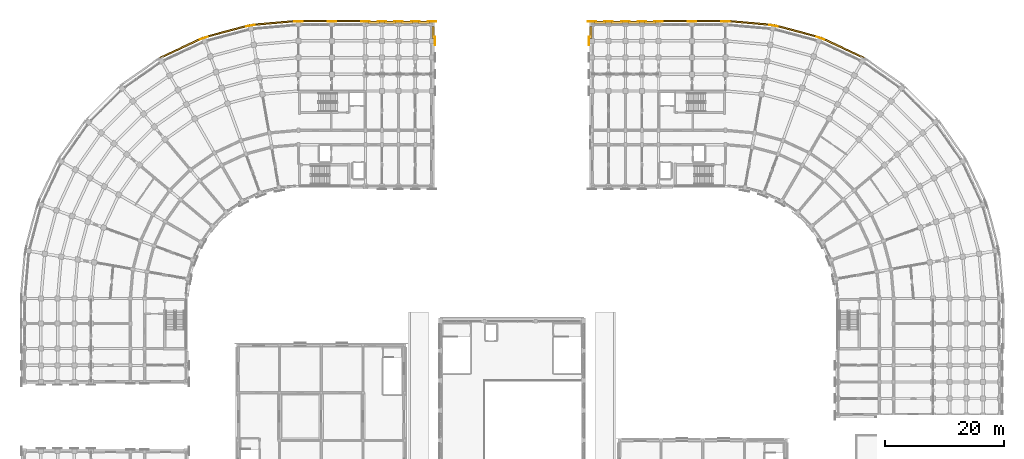
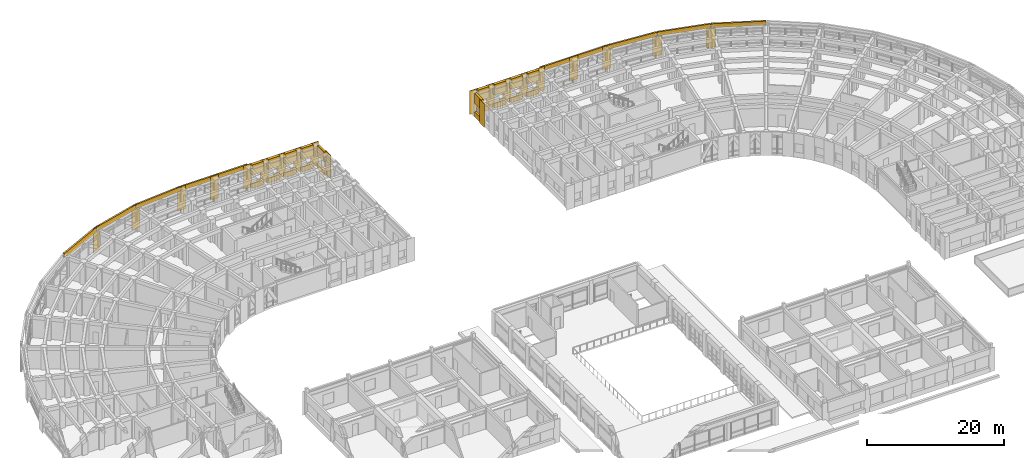
# One storey, part 97 of 97: 50 coverings.
"""IFC4 building model written with IfcOpenShell, lengths in metres."""

from ifc_helpers import new_model, si_unit, direction, frame, origin, place, context, subcontext, project, spatial, polyline, outline, extrude, material, layer, layer_set, type_object, element, save


model = new_model("IFC4")

# Units and contexts
model_context = context("Model", 3, precision=1e-05, world=origin(), true_north=direction((0.0, 1.0)))
body_context = subcontext(model_context, "Body", "Model", "MODEL_VIEW")
ifc_project = project(units=[si_unit("LENGTHUNIT", "METRE"), si_unit("AREAUNIT", "SQUARE_METRE"), si_unit("VOLUMEUNIT", "CUBIC_METRE"), si_unit("PLANEANGLEUNIT", "RADIAN"), si_unit("MASSUNIT", "GRAM", prefix="KILO")], contexts=[model_context])

# Site, building, storey
site_placement = place(None, origin())
site = spatial("IfcSite", under=ifc_project, at=site_placement, CompositionType="ELEMENT")
building_placement = place(site_placement, origin())
building = spatial("IfcBuilding", under=site, at=building_placement, Name="Kiranvali Square Residences", CompositionType="ELEMENT")
storey_placement = place(building_placement, frame((0.0, 0.0, 4.5)))
storey = spatial("IfcBuildingStorey", under=building, at=storey_placement, Name="L01", CompositionType="ELEMENT", Elevation=4.5)

# Coverings
ifc_material_1 = material(Name="Carved Porbandar limestone classical entablature and cornice", Category="masonry")
ifc_layer_1 = layer(ifc_material_1, 0.449951171875)
ifc_layer_set_1 = layer_set([ifc_layer_1], Name="Carved Porbandar limestone classical entablature and cornice")
covering_type_1 = type_object("IfcCoveringType", Name="COV-CLAD-CORN", PredefinedType="CLADDING", material=ifc_layer_set_1)
covering_1_placement = place(storey_placement, frame((0.0, 0.0, 3.47998046875)))
element("IfcCovering", 1, at=covering_1_placement, inside=storey, type_object=covering_type_1, Name="Block A L01 Classical Ottoman arcade entablature 1", PredefinedType="CLADDING", context=body_context, shape_type="SweptSolid", body=[
    extrude(outline(polyline([(48.138671875, 134.50244140625), (40.150634765625, 133.803466796875), (40.175048828125, 133.526611328125), (48.162841796875, 134.225341796875), (48.138671875, 134.50244140625)])), origin(), (0.0, 0.0, 1.0), 0.715087890625),
])
covering_2_placement = place(storey_placement, frame((0.0, 0.0, 3.47998046875)))
element("IfcCovering", 2, at=covering_2_placement, inside=storey, type_object=covering_type_1, Name="Block A L01 Classical Ottoman arcade entablature 2", PredefinedType="CLADDING", context=body_context, shape_type="SweptSolid", body=[
    extrude(outline(polyline([(40.02978515625, 133.7822265625), (32.28466796875, 131.706787109375), (32.3564453125, 131.438232421875), (40.1015625, 133.513671875), (40.02978515625, 133.7822265625)])), origin(), (0.0, 0.0, 1.0), 0.715087890625),
])
covering_3_placement = place(storey_placement, frame((0.0, 0.0, 3.47998046875)))
element("IfcCovering", 3, at=covering_3_placement, inside=storey, type_object=covering_type_1, Name="Block A L01 Classical Ottoman arcade entablature 3", PredefinedType="CLADDING", context=body_context, shape_type="SweptSolid", body=[
    extrude(outline(polyline([(32.169189453125, 131.664794921875), (24.902099609375, 128.276123046875), (25.01953125, 128.024169921875), (32.28662109375, 131.412841796875), (32.169189453125, 131.664794921875)])), origin(), (0.0, 0.0, 1.0), 0.715087890625),
])
covering_4_placement = place(storey_placement, frame((0.0, 0.0, 3.47998046875)))
element("IfcCovering", 4, at=covering_4_placement, inside=storey, type_object=covering_type_1, Name="Block A L01 Arm 1 street arcade cornice 1", PredefinedType="CLADDING", context=body_context, shape_type="SweptSolid", body=[
    extrude(outline(polyline([(48.199951171875, 134.22705078125), (53.800048828125, 134.22705078125), (53.800048828125, 134.5048828125), (48.199951171875, 134.5048828125), (48.199951171875, 134.22705078125)])), origin(), (0.0, 0.0, 1.0), 0.715087890625),
])
covering_5_placement = place(storey_placement, frame((0.0, 0.0, 3.47998046875)))
element("IfcCovering", 5, at=covering_5_placement, inside=storey, type_object=covering_type_1, Name="Block A L01 Arm 1 street arcade cornice 2", PredefinedType="CLADDING", context=body_context, shape_type="SweptSolid", body=[
    extrude(outline(polyline([(53.800048828125, 134.22705078125), (59.39990234375, 134.22705078125), (59.39990234375, 134.5048828125), (53.800048828125, 134.5048828125), (53.800048828125, 134.22705078125)])), origin(), (0.0, 0.0, 1.0), 0.715087890625),
])
covering_6_placement = place(storey_placement, frame((0.0, 0.0, 3.47998046875)))
element("IfcCovering", 6, at=covering_6_placement, inside=storey, type_object=covering_type_1, Name="Block B L01 Classical Ottoman arcade entablature 1", PredefinedType="CLADDING", context=body_context, shape_type="SweptSolid", body=[
    extrude(outline(polyline([(119.837158203125, 134.225341796875), (127.824951171875, 133.526611328125), (127.849365234375, 133.803466796875), (119.861328125, 134.50244140625), (119.837158203125, 134.225341796875)])), origin(), (0.0, 0.0, 1.0), 0.715087890625),
])
covering_7_placement = place(storey_placement, frame((0.0, 0.0, 3.47998046875)))
element("IfcCovering", 7, at=covering_7_placement, inside=storey, type_object=covering_type_1, Name="Block B L01 Classical Ottoman arcade entablature 2", PredefinedType="CLADDING", context=body_context, shape_type="SweptSolid", body=[
    extrude(outline(polyline([(127.8984375, 133.513671875), (135.6435546875, 131.438232421875), (135.71533203125, 131.706787109375), (127.97021484375, 133.7822265625), (127.8984375, 133.513671875)])), origin(), (0.0, 0.0, 1.0), 0.715087890625),
])
covering_8_placement = place(storey_placement, frame((0.0, 0.0, 3.47998046875)))
element("IfcCovering", 8, at=covering_8_placement, inside=storey, type_object=covering_type_1, Name="Block B L01 Classical Ottoman arcade entablature 3", PredefinedType="CLADDING", context=body_context, shape_type="SweptSolid", body=[
    extrude(outline(polyline([(135.71337890625, 131.412841796875), (142.98046875, 128.024169921875), (143.097900390625, 128.276123046875), (135.830810546875, 131.664794921875), (135.71337890625, 131.412841796875)])), origin(), (0.0, 0.0, 1.0), 0.715087890625),
])
covering_9_placement = place(storey_placement, frame((0.0, 0.0, 3.47998046875)))
element("IfcCovering", 9, at=covering_9_placement, inside=storey, type_object=covering_type_1, Name="Block B L01 Arm 1 street arcade cornice 1", PredefinedType="CLADDING", context=body_context, shape_type="SweptSolid", body=[
    extrude(outline(polyline([(119.800048828125, 134.5048828125), (114.199951171875, 134.5048828125), (114.199951171875, 134.22705078125), (119.800048828125, 134.22705078125), (119.800048828125, 134.5048828125)])), origin(), (0.0, 0.0, 1.0), 0.715087890625),
])
covering_10_placement = place(storey_placement, frame((0.0, 0.0, 3.47998046875)))
element("IfcCovering", 10, at=covering_10_placement, inside=storey, type_object=covering_type_1, Name="Block B L01 Arm 1 street arcade cornice 2", PredefinedType="CLADDING", context=body_context, shape_type="SweptSolid", body=[
    extrude(outline(polyline([(114.199951171875, 134.5048828125), (108.60009765625, 134.5048828125), (108.60009765625, 134.22705078125), (114.199951171875, 134.22705078125), (114.199951171875, 134.5048828125)])), origin(), (0.0, 0.0, 1.0), 0.715087890625),
])
ifc_material_2 = material(Name="Honed Porbandar limestone ashlar facade cladding", Category="masonry")
ifc_layer_2 = layer(ifc_material_2, 0.054931640625)
ifc_layer_set_2 = layer_set([ifc_layer_2], Name="Honed Porbandar limestone ashlar facade cladding")
covering_type_2 = type_object("IfcCoveringType", Name="COV-CLAD-PIER-UP", PredefinedType="CLADDING", material=ifc_layer_set_2)
covering_11_placement = place(storey_placement, frame((0.0, 0.0, 0.0048828125)))
element("IfcCovering", 11, at=covering_11_placement, inside=storey, type_object=covering_type_2, Name="L01 Classical limestone pilaster casing CLAD-PRA1E-A-L01-R432", PredefinedType="CLADDING", context=body_context, shape_type="SweptSolid", body=[
    extrude(outline(polyline([(71.093017578125, 130.294921875), (71.093017578125, 131.705078125), (71.025390625, 131.705078125), (71.025390625, 130.294921875), (71.093017578125, 130.294921875)])), origin(), (0.0, 0.0, 1.0), 4.190185546875),
])
covering_12_placement = place(storey_placement, frame((0.0, 0.0, 0.0048828125)))
element("IfcCovering", 12, at=covering_12_placement, inside=storey, type_object=covering_type_2, Name="L01 Classical limestone pilaster casing CLAD-PRA1E-B-L01-R432", PredefinedType="CLADDING", context=body_context, shape_type="SweptSolid", body=[
    extrude(outline(polyline([(96.974609375, 130.294921875), (96.974609375, 131.705078125), (96.906982421875, 131.705078125), (96.906982421875, 130.294921875), (96.974609375, 130.294921875)])), origin(), (0.0, 0.0, 1.0), 4.190185546875),
])
ifc_material_3 = material(Name="Alternating Deccan basalt and Porbandar limestone rusticated plinth ashlar", Category="masonry")
ifc_layer_3 = layer(ifc_material_3, 0.0849609375)
ifc_layer_set_3 = layer_set([ifc_layer_3], Name="Alternating Deccan basalt and Porbandar limestone rusticated plinth ashlar")
covering_type_3 = type_object("IfcCoveringType", Name="COV-CLAD-PLINTH", PredefinedType="CLADDING", material=ifc_layer_set_3)
covering_13_placement = place(storey_placement, frame((0.0, 0.0, 0.0048828125)))
element("IfcCovering", 13, at=covering_13_placement, inside=storey, type_object=covering_type_3, Name="L01 rusticated Ottoman arcade pier CLAD-PR-A-L01-A00", PredefinedType="CLADDING", context=body_context, shape_type="SweptSolid", body=[
    extrude(outline(polyline([(48.905029296875, 134.29296875), (47.4951171875, 134.29296875), (47.4951171875, 134.2255859375), (48.905029296875, 134.2255859375), (48.905029296875, 134.29296875)])), origin(), (0.0, 0.0, 1.0), 4.190185546875),
])
covering_14_placement = place(storey_placement, frame((0.0, 0.0, 0.0048828125)))
element("IfcCovering", 14, at=covering_14_placement, inside=storey, type_object=covering_type_3, Name="L01 rusticated Ottoman arcade pier CLAD-PR-A-L01-A01", PredefinedType="CLADDING", context=body_context, shape_type="SweptSolid", body=[
    extrude(outline(polyline([(40.82080078125, 133.708984375), (39.432373046875, 133.46435546875), (39.444091796875, 133.397705078125), (40.83251953125, 133.642578125), (40.82080078125, 133.708984375)])), origin(), (0.0, 0.0, 1.0), 4.190185546875),
])
covering_15_placement = place(storey_placement, frame((0.0, 0.0, 0.0048828125)))
element("IfcCovering", 15, at=covering_15_placement, inside=storey, type_object=covering_type_3, Name="L01 rusticated Ottoman arcade pier CLAD-PR-A-L01-A02", PredefinedType="CLADDING", context=body_context, shape_type="SweptSolid", body=[
    extrude(outline(polyline([(32.9609375, 131.730224609375), (31.635986328125, 131.248046875), (31.6591796875, 131.1845703125), (32.984130859375, 131.666748046875), (32.9609375, 131.730224609375)])), origin(), (0.0, 0.0, 1.0), 4.190185546875),
])
covering_16_placement = place(storey_placement, frame((0.0, 0.0, 0.0048828125)))
element("IfcCovering", 16, at=covering_16_placement, inside=storey, type_object=covering_type_3, Name="L01 Classical limestone pilaster casing CLAD-PR-A-L01-U56", PredefinedType="CLADDING", context=body_context, shape_type="SweptSolid", body=[
    extrude(outline(polyline([(53.094970703125, 134.2255859375), (54.5048828125, 134.2255859375), (54.5048828125, 134.29296875), (53.094970703125, 134.29296875), (53.094970703125, 134.2255859375)])), origin(), (0.0, 0.0, 1.0), 4.190185546875),
])
covering_17_placement = place(storey_placement, frame((0.0, 0.0, 0.0048828125)))
element("IfcCovering", 17, at=covering_17_placement, inside=storey, type_object=covering_type_3, Name="L01 Classical limestone pilaster casing CLAD-PR-A-L01-U112", PredefinedType="CLADDING", context=body_context, shape_type="SweptSolid", body=[
    extrude(outline(polyline([(58.695068359375, 134.2255859375), (60.10498046875, 134.2255859375), (60.10498046875, 134.29296875), (58.695068359375, 134.29296875), (58.695068359375, 134.2255859375)])), origin(), (0.0, 0.0, 1.0), 4.190185546875),
])
covering_18_placement = place(storey_placement, frame((0.0, 0.0, 0.0048828125)))
element("IfcCovering", 18, at=covering_18_placement, inside=storey, type_object=covering_type_3, Name="L01 Classical limestone pilaster casing CLAD-PR-A-L01-U140", PredefinedType="CLADDING", context=body_context, shape_type="SweptSolid", body=[
    extrude(outline(polyline([(61.4951171875, 134.2255859375), (62.905029296875, 134.2255859375), (62.905029296875, 134.29296875), (61.4951171875, 134.29296875), (61.4951171875, 134.2255859375)])), origin(), (0.0, 0.0, 1.0), 4.190185546875),
])
covering_19_placement = place(storey_placement, frame((0.0, 0.0, 0.0048828125)))
element("IfcCovering", 19, at=covering_19_placement, inside=storey, type_object=covering_type_3, Name="L01 Classical limestone pilaster casing CLAD-PR-A-L01-U167", PredefinedType="CLADDING", context=body_context, shape_type="SweptSolid", body=[
    extrude(outline(polyline([(64.294921875, 134.2255859375), (65.705078125, 134.2255859375), (65.705078125, 134.29296875), (64.294921875, 134.29296875), (64.294921875, 134.2255859375)])), origin(), (0.0, 0.0, 1.0), 4.190185546875),
])
covering_20_placement = place(storey_placement, frame((0.0, 0.0, 0.0048828125)))
element("IfcCovering", 20, at=covering_20_placement, inside=storey, type_object=covering_type_3, Name="L01 Classical limestone pilaster casing CLAD-PR-A-L01-U195", PredefinedType="CLADDING", context=body_context, shape_type="SweptSolid", body=[
    extrude(outline(polyline([(67.094970703125, 134.2255859375), (68.5048828125, 134.2255859375), (68.5048828125, 134.29296875), (67.094970703125, 134.29296875), (67.094970703125, 134.2255859375)])), origin(), (0.0, 0.0, 1.0), 4.190185546875),
])
covering_21_placement = place(storey_placement, frame((0.0, 0.0, 0.0048828125)))
element("IfcCovering", 21, at=covering_21_placement, inside=storey, type_object=covering_type_3, Name="L01 Classical limestone pilaster casing CLAD-PR-A-L01-U224", PredefinedType="CLADDING", context=body_context, shape_type="SweptSolid", body=[
    extrude(outline(polyline([(69.89501953125, 134.2255859375), (71.304931640625, 134.2255859375), (71.304931640625, 134.29296875), (69.89501953125, 134.29296875), (69.89501953125, 134.2255859375)])), origin(), (0.0, 0.0, 1.0), 4.190185546875),
])
covering_22_placement = place(storey_placement, frame((0.0, 0.0, 0.0048828125)))
element("IfcCovering", 22, at=covering_22_placement, inside=storey, type_object=covering_type_3, Name="L01 rusticated Ottoman arcade pier CLAD-PR-B-L01-A00", PredefinedType="CLADDING", context=body_context, shape_type="SweptSolid", body=[
    extrude(outline(polyline([(120.5048828125, 134.29296875), (119.094970703125, 134.29296875), (119.094970703125, 134.2255859375), (120.5048828125, 134.2255859375), (120.5048828125, 134.29296875)])), origin(), (0.0, 0.0, 1.0), 4.190185546875),
])
covering_23_placement = place(storey_placement, frame((0.0, 0.0, 0.0048828125)))
element("IfcCovering", 23, at=covering_23_placement, inside=storey, type_object=covering_type_3, Name="L01 rusticated Ottoman arcade pier CLAD-PR-B-L01-A01", PredefinedType="CLADDING", context=body_context, shape_type="SweptSolid", body=[
    extrude(outline(polyline([(128.567626953125, 133.46435546875), (127.17919921875, 133.708984375), (127.16748046875, 133.642578125), (128.555908203125, 133.397705078125), (128.567626953125, 133.46435546875)])), origin(), (0.0, 0.0, 1.0), 4.190185546875),
])
covering_24_placement = place(storey_placement, frame((0.0, 0.0, 0.0048828125)))
element("IfcCovering", 24, at=covering_24_placement, inside=storey, type_object=covering_type_3, Name="L01 rusticated Ottoman arcade pier CLAD-PR-B-L01-A02", PredefinedType="CLADDING", context=body_context, shape_type="SweptSolid", body=[
    extrude(outline(polyline([(136.364013671875, 131.248046875), (135.0390625, 131.730224609375), (135.015869140625, 131.666748046875), (136.3408203125, 131.1845703125), (136.364013671875, 131.248046875)])), origin(), (0.0, 0.0, 1.0), 4.190185546875),
])
covering_25_placement = place(storey_placement, frame((0.0, 0.0, 0.0048828125)))
element("IfcCovering", 25, at=covering_25_placement, inside=storey, type_object=covering_type_3, Name="L01 Classical limestone pilaster casing CLAD-PR-B-L01-U56", PredefinedType="CLADDING", context=body_context, shape_type="SweptSolid", body=[
    extrude(outline(polyline([(114.905029296875, 134.29296875), (113.4951171875, 134.29296875), (113.4951171875, 134.2255859375), (114.905029296875, 134.2255859375), (114.905029296875, 134.29296875)])), origin(), (0.0, 0.0, 1.0), 4.190185546875),
])
covering_26_placement = place(storey_placement, frame((0.0, 0.0, 0.0048828125)))
element("IfcCovering", 26, at=covering_26_placement, inside=storey, type_object=covering_type_3, Name="L01 Classical limestone pilaster casing CLAD-PR-B-L01-U112", PredefinedType="CLADDING", context=body_context, shape_type="SweptSolid", body=[
    extrude(outline(polyline([(109.304931640625, 134.29296875), (107.89501953125, 134.29296875), (107.89501953125, 134.2255859375), (109.304931640625, 134.2255859375), (109.304931640625, 134.29296875)])), origin(), (0.0, 0.0, 1.0), 4.190185546875),
])
covering_27_placement = place(storey_placement, frame((0.0, 0.0, 0.0048828125)))
element("IfcCovering", 27, at=covering_27_placement, inside=storey, type_object=covering_type_3, Name="L01 Classical limestone pilaster casing CLAD-PR-B-L01-U140", PredefinedType="CLADDING", context=body_context, shape_type="SweptSolid", body=[
    extrude(outline(polyline([(106.5048828125, 134.29296875), (105.094970703125, 134.29296875), (105.094970703125, 134.2255859375), (106.5048828125, 134.2255859375), (106.5048828125, 134.29296875)])), origin(), (0.0, 0.0, 1.0), 4.190185546875),
])
covering_28_placement = place(storey_placement, frame((0.0, 0.0, 0.0048828125)))
element("IfcCovering", 28, at=covering_28_placement, inside=storey, type_object=covering_type_3, Name="L01 Classical limestone pilaster casing CLAD-PR-B-L01-U167", PredefinedType="CLADDING", context=body_context, shape_type="SweptSolid", body=[
    extrude(outline(polyline([(103.705078125, 134.29296875), (102.294921875, 134.29296875), (102.294921875, 134.2255859375), (103.705078125, 134.2255859375), (103.705078125, 134.29296875)])), origin(), (0.0, 0.0, 1.0), 4.190185546875),
])
covering_29_placement = place(storey_placement, frame((0.0, 0.0, 0.0048828125)))
element("IfcCovering", 29, at=covering_29_placement, inside=storey, type_object=covering_type_3, Name="L01 Classical limestone pilaster casing CLAD-PR-B-L01-U195", PredefinedType="CLADDING", context=body_context, shape_type="SweptSolid", body=[
    extrude(outline(polyline([(100.905029296875, 134.29296875), (99.4951171875, 134.29296875), (99.4951171875, 134.2255859375), (100.905029296875, 134.2255859375), (100.905029296875, 134.29296875)])), origin(), (0.0, 0.0, 1.0), 4.190185546875),
])
covering_30_placement = place(storey_placement, frame((0.0, 0.0, 0.0048828125)))
element("IfcCovering", 30, at=covering_30_placement, inside=storey, type_object=covering_type_3, Name="L01 Classical limestone pilaster casing CLAD-PR-B-L01-U224", PredefinedType="CLADDING", context=body_context, shape_type="SweptSolid", body=[
    extrude(outline(polyline([(98.10498046875, 134.29296875), (96.695068359375, 134.29296875), (96.695068359375, 134.2255859375), (98.10498046875, 134.2255859375), (98.10498046875, 134.29296875)])), origin(), (0.0, 0.0, 1.0), 4.190185546875),
])
ifc_layer_4 = layer(ifc_material_2, 0.360107421875)
ifc_layer_set_4 = layer_set([ifc_layer_4], Name="Honed Porbandar limestone ashlar facade cladding")
covering_type_4 = type_object("IfcCoveringType", Name="COV-CLAD-WALL", PredefinedType="CLADDING", material=ifc_layer_set_4)
covering_31_placement = place(storey_placement, frame((0.0, 0.0, 2.3798828125)))
element("IfcCovering", 31, at=covering_31_placement, inside=storey, type_object=covering_type_4, Name="L01 light limestone spandrel lintel A-L01-A1O-2", PredefinedType="CLADDING", context=body_context, shape_type="SweptSolid", body=[
    extrude(outline(polyline([(59.840087890625, 133.800537109375), (61.760009765625, 133.800537109375), (61.760009765625, 134.27490234375), (59.840087890625, 134.27490234375), (59.840087890625, 133.800537109375)])), origin(), (0.0, 0.0, 1.0), 1.815185546875),
])
covering_32_placement = place(storey_placement, frame((0.0, 0.0, 0.0048828125)))
element("IfcCovering", 32, at=covering_32_placement, inside=storey, type_object=covering_type_4, Name="L01 limestone window sill apron A-L01-A1O-2", PredefinedType="CLADDING", context=body_context, shape_type="SweptSolid", body=[
    extrude(outline(polyline([(59.840087890625, 133.800537109375), (61.760009765625, 133.800537109375), (61.760009765625, 134.304931640625), (59.840087890625, 134.304931640625), (59.840087890625, 133.800537109375)])), origin(), (0.0, 0.0, 1.0), 0.875),
])
covering_33_placement = place(storey_placement, frame((0.0, 0.0, 2.3798828125)))
element("IfcCovering", 33, at=covering_33_placement, inside=storey, type_object=covering_type_4, Name="L01 light limestone spandrel lintel A-L01-A1O-3", PredefinedType="CLADDING", context=body_context, shape_type="SweptSolid", body=[
    extrude(outline(polyline([(62.639892578125, 133.800537109375), (64.56005859375, 133.800537109375), (64.56005859375, 134.27490234375), (62.639892578125, 134.27490234375), (62.639892578125, 133.800537109375)])), origin(), (0.0, 0.0, 1.0), 1.815185546875),
])
covering_34_placement = place(storey_placement, frame((0.0, 0.0, 0.0048828125)))
element("IfcCovering", 34, at=covering_34_placement, inside=storey, type_object=covering_type_4, Name="L01 limestone window sill apron A-L01-A1O-3", PredefinedType="CLADDING", context=body_context, shape_type="SweptSolid", body=[
    extrude(outline(polyline([(62.639892578125, 133.800537109375), (64.56005859375, 133.800537109375), (64.56005859375, 134.304931640625), (62.639892578125, 134.304931640625), (62.639892578125, 133.800537109375)])), origin(), (0.0, 0.0, 1.0), 0.875),
])
covering_35_placement = place(storey_placement, frame((0.0, 0.0, 2.330078125)))
element("IfcCovering", 35, at=covering_35_placement, inside=storey, type_object=covering_type_4, Name="L01 light limestone spandrel lintel A-L01-A1O-4", PredefinedType="CLADDING", context=body_context, shape_type="SweptSolid", body=[
    extrude(outline(polyline([(65.43994140625, 133.800537109375), (67.360107421875, 133.800537109375), (67.360107421875, 134.27490234375), (65.43994140625, 134.27490234375), (65.43994140625, 133.800537109375)])), origin(), (0.0, 0.0, 1.0), 1.864990234375),
])
covering_36_placement = place(storey_placement, frame((0.0, 0.0, 0.0048828125)))
element("IfcCovering", 36, at=covering_36_placement, inside=storey, type_object=covering_type_4, Name="L01 limestone window sill apron A-L01-A1O-4", PredefinedType="CLADDING", context=body_context, shape_type="SweptSolid", body=[
    extrude(outline(polyline([(65.43994140625, 133.800537109375), (67.360107421875, 133.800537109375), (67.360107421875, 134.304931640625), (65.43994140625, 134.304931640625), (65.43994140625, 133.800537109375)])), origin(), (0.0, 0.0, 1.0), 0.875),
])
covering_37_placement = place(storey_placement, frame((0.0, 0.0, 2.22998046875)))
element("IfcCovering", 37, at=covering_37_placement, inside=storey, type_object=covering_type_4, Name="L01 light limestone spandrel lintel A-L01-A1O-5", PredefinedType="CLADDING", context=body_context, shape_type="SweptSolid", body=[
    extrude(outline(polyline([(68.239990234375, 133.800537109375), (70.159912109375, 133.800537109375), (70.159912109375, 134.27490234375), (68.239990234375, 134.27490234375), (68.239990234375, 133.800537109375)])), origin(), (0.0, 0.0, 1.0), 1.965087890625),
])
covering_38_placement = place(storey_placement, frame((0.0, 0.0, 0.0048828125)))
element("IfcCovering", 38, at=covering_38_placement, inside=storey, type_object=covering_type_4, Name="L01 limestone window sill apron A-L01-A1O-5", PredefinedType="CLADDING", context=body_context, shape_type="SweptSolid", body=[
    extrude(outline(polyline([(68.239990234375, 133.800537109375), (70.159912109375, 133.800537109375), (70.159912109375, 134.304931640625), (68.239990234375, 134.304931640625), (68.239990234375, 133.800537109375)])), origin(), (0.0, 0.0, 1.0), 0.875),
])
covering_39_placement = place(storey_placement, frame((0.0, 0.0, 2.3798828125)))
element("IfcCovering", 39, at=covering_39_placement, inside=storey, type_object=covering_type_4, Name="L01 light limestone spandrel lintel A-L01-A1END-6", PredefinedType="CLADDING", context=body_context, shape_type="SweptSolid", body=[
    extrude(outline(polyline([(70.93994140625, 131.419921875), (70.93994140625, 133.3798828125), (70.6005859375, 133.3798828125), (70.6005859375, 131.419921875), (70.93994140625, 131.419921875)])), origin(), (0.0, 0.0, 1.0), 1.815185546875),
])
covering_40_placement = place(storey_placement, frame((0.0, 0.0, 0.0048828125)))
element("IfcCovering", 40, at=covering_40_placement, inside=storey, type_object=covering_type_4, Name="L01 limestone window sill apron A-L01-A1END-6", PredefinedType="CLADDING", context=body_context, shape_type="SweptSolid", body=[
    extrude(outline(polyline([(70.969970703125, 131.419921875), (70.969970703125, 133.3798828125), (70.6005859375, 133.3798828125), (70.6005859375, 131.419921875), (70.969970703125, 131.419921875)])), origin(), (0.0, 0.0, 1.0), 0.875),
])
covering_41_placement = place(storey_placement, frame((0.0, 0.0, 2.3798828125)))
element("IfcCovering", 41, at=covering_41_placement, inside=storey, type_object=covering_type_4, Name="L01 light limestone spandrel lintel B-L01-A1O-2", PredefinedType="CLADDING", context=body_context, shape_type="SweptSolid", body=[
    extrude(outline(polyline([(108.159912109375, 134.27490234375), (106.239990234375, 134.27490234375), (106.239990234375, 133.800537109375), (108.159912109375, 133.800537109375), (108.159912109375, 134.27490234375)])), origin(), (0.0, 0.0, 1.0), 1.815185546875),
])
covering_42_placement = place(storey_placement, frame((0.0, 0.0, 0.0048828125)))
element("IfcCovering", 42, at=covering_42_placement, inside=storey, type_object=covering_type_4, Name="L01 limestone window sill apron B-L01-A1O-2", PredefinedType="CLADDING", context=body_context, shape_type="SweptSolid", body=[
    extrude(outline(polyline([(108.159912109375, 134.304931640625), (106.239990234375, 134.304931640625), (106.239990234375, 133.800537109375), (108.159912109375, 133.800537109375), (108.159912109375, 134.304931640625)])), origin(), (0.0, 0.0, 1.0), 0.875),
])
covering_43_placement = place(storey_placement, frame((0.0, 0.0, 2.3798828125)))
element("IfcCovering", 43, at=covering_43_placement, inside=storey, type_object=covering_type_4, Name="L01 light limestone spandrel lintel B-L01-A1O-3", PredefinedType="CLADDING", context=body_context, shape_type="SweptSolid", body=[
    extrude(outline(polyline([(105.360107421875, 134.27490234375), (103.43994140625, 134.27490234375), (103.43994140625, 133.800537109375), (105.360107421875, 133.800537109375), (105.360107421875, 134.27490234375)])), origin(), (0.0, 0.0, 1.0), 1.815185546875),
])
covering_44_placement = place(storey_placement, frame((0.0, 0.0, 0.0048828125)))
element("IfcCovering", 44, at=covering_44_placement, inside=storey, type_object=covering_type_4, Name="L01 limestone window sill apron B-L01-A1O-3", PredefinedType="CLADDING", context=body_context, shape_type="SweptSolid", body=[
    extrude(outline(polyline([(105.360107421875, 134.304931640625), (103.43994140625, 134.304931640625), (103.43994140625, 133.800537109375), (105.360107421875, 133.800537109375), (105.360107421875, 134.304931640625)])), origin(), (0.0, 0.0, 1.0), 0.875),
])
covering_45_placement = place(storey_placement, frame((0.0, 0.0, 2.330078125)))
element("IfcCovering", 45, at=covering_45_placement, inside=storey, type_object=covering_type_4, Name="L01 light limestone spandrel lintel B-L01-A1O-4", PredefinedType="CLADDING", context=body_context, shape_type="SweptSolid", body=[
    extrude(outline(polyline([(102.56005859375, 134.27490234375), (100.639892578125, 134.27490234375), (100.639892578125, 133.800537109375), (102.56005859375, 133.800537109375), (102.56005859375, 134.27490234375)])), origin(), (0.0, 0.0, 1.0), 1.864990234375),
])
covering_46_placement = place(storey_placement, frame((0.0, 0.0, 0.0048828125)))
element("IfcCovering", 46, at=covering_46_placement, inside=storey, type_object=covering_type_4, Name="L01 limestone window sill apron B-L01-A1O-4", PredefinedType="CLADDING", context=body_context, shape_type="SweptSolid", body=[
    extrude(outline(polyline([(102.56005859375, 134.304931640625), (100.639892578125, 134.304931640625), (100.639892578125, 133.800537109375), (102.56005859375, 133.800537109375), (102.56005859375, 134.304931640625)])), origin(), (0.0, 0.0, 1.0), 0.875),
])
covering_47_placement = place(storey_placement, frame((0.0, 0.0, 2.22998046875)))
element("IfcCovering", 47, at=covering_47_placement, inside=storey, type_object=covering_type_4, Name="L01 light limestone spandrel lintel B-L01-A1O-5", PredefinedType="CLADDING", context=body_context, shape_type="SweptSolid", body=[
    extrude(outline(polyline([(99.760009765625, 134.27490234375), (97.840087890625, 134.27490234375), (97.840087890625, 133.800537109375), (99.760009765625, 133.800537109375), (99.760009765625, 134.27490234375)])), origin(), (0.0, 0.0, 1.0), 1.965087890625),
])
covering_48_placement = place(storey_placement, frame((0.0, 0.0, 0.0048828125)))
element("IfcCovering", 48, at=covering_48_placement, inside=storey, type_object=covering_type_4, Name="L01 limestone window sill apron B-L01-A1O-5", PredefinedType="CLADDING", context=body_context, shape_type="SweptSolid", body=[
    extrude(outline(polyline([(99.760009765625, 134.304931640625), (97.840087890625, 134.304931640625), (97.840087890625, 133.800537109375), (99.760009765625, 133.800537109375), (99.760009765625, 134.304931640625)])), origin(), (0.0, 0.0, 1.0), 0.875),
])
covering_49_placement = place(storey_placement, frame((0.0, 0.0, 2.3798828125)))
element("IfcCovering", 49, at=covering_49_placement, inside=storey, type_object=covering_type_4, Name="L01 light limestone spandrel lintel B-L01-A1END-6", PredefinedType="CLADDING", context=body_context, shape_type="SweptSolid", body=[
    extrude(outline(polyline([(97.3994140625, 131.419921875), (97.3994140625, 133.3798828125), (97.06005859375, 133.3798828125), (97.06005859375, 131.419921875), (97.3994140625, 131.419921875)])), origin(), (0.0, 0.0, 1.0), 1.815185546875),
])
covering_50_placement = place(storey_placement, frame((0.0, 0.0, 0.0048828125)))
element("IfcCovering", 50, at=covering_50_placement, inside=storey, type_object=covering_type_4, Name="L01 limestone window sill apron B-L01-A1END-6", PredefinedType="CLADDING", context=body_context, shape_type="SweptSolid", body=[
    extrude(outline(polyline([(97.3994140625, 131.419921875), (97.3994140625, 133.3798828125), (97.030029296875, 133.3798828125), (97.030029296875, 131.419921875), (97.3994140625, 131.419921875)])), origin(), (0.0, 0.0, 1.0), 0.875),
])

save(model, "model.ifc")
